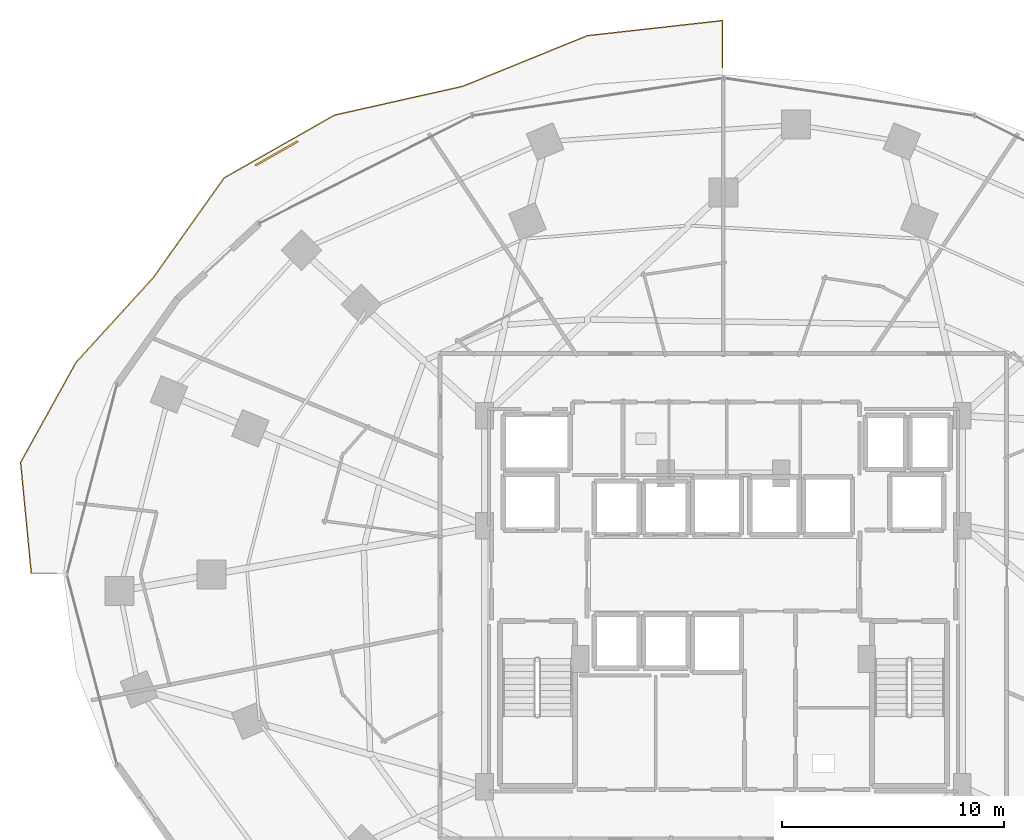
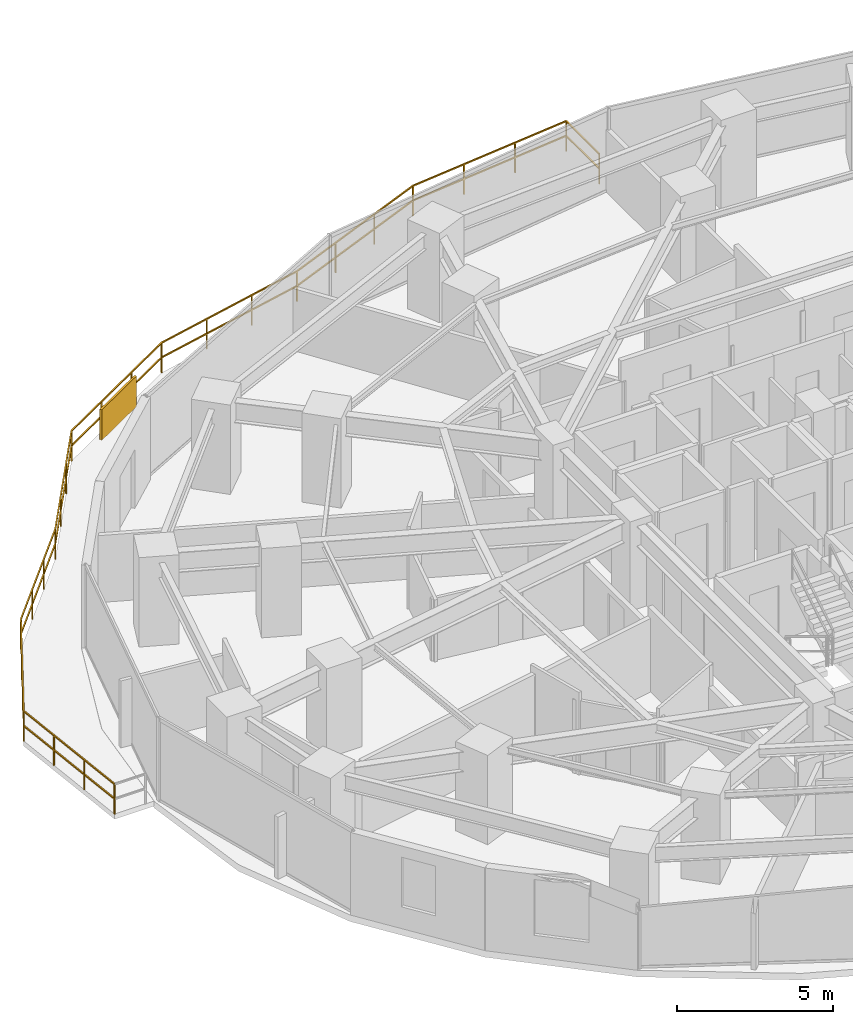
# One storey, part 34 of 35: 1 railing, 1 shading device.
"""IFC4 building model written with IfcOpenShell, lengths in metres."""

from ifc_helpers import new_model, si_unit, direction, frame, origin, origin_2d, place, context, subcontext, project, spatial, rectangle, extrude, material, type_object, element, save


model = new_model("IFC4")

# Units and contexts
model_context = context("Model", 3, precision=1e-05, world=origin(), true_north=direction((0.0, 1.0)))
body_context = subcontext(model_context, "Body", "Model", "MODEL_VIEW")
ifc_project = project(units=[si_unit("LENGTHUNIT", "METRE"), si_unit("AREAUNIT", "SQUARE_METRE"), si_unit("VOLUMEUNIT", "CUBIC_METRE"), si_unit("PLANEANGLEUNIT", "RADIAN"), si_unit("MASSUNIT", "GRAM", prefix="KILO")], contexts=[model_context])

# Site, building, storey
site_placement = place(None, origin())
site = spatial("IfcSite", under=ifc_project, at=site_placement, CompositionType="ELEMENT")
building_placement = place(site_placement, origin())
building = spatial("IfcBuilding", under=site, at=building_placement, Name="Vorneva Point Tower", CompositionType="ELEMENT")
storey_placement = place(building_placement, frame((0.0, 0.0, 45.0)))
storey = spatial("IfcBuildingStorey", under=building, at=storey_placement, Name="L11", CompositionType="ELEMENT", Elevation=45.0)

# Railing
ifc_material = material(Name="Pale anodised aluminium", Category="aluminium")
railing_type = type_object("IfcRailingType", Name="RL-BAL-1200", PredefinedType="BALUSTRADE", material=ifc_material)
railing_placement = place(storey_placement, frame((37.949951171875, 48.817138671875, 0.0)))
element("IfcRailing", 1, at=railing_placement, inside=storey, type_object=railing_type, Name="L11 Wave Balcony Balustrade NW.2", PredefinedType="BALUSTRADE", context=body_context, shape_type="SweptSolid", body=[
    extrude(rectangle(XDim=0.048095703125, YDim=0.048095703125, at=origin_2d()), frame((0.0, 0.0, 1.17578125), z_axis=(0.0, 1.0, 0.0), x_axis=(-1.0, 0.0, 0.0)), (0.0, 0.0, 1.0), 2.122314453125),
    extrude(rectangle(XDim=0.048095703125, YDim=0.048095703125, at=origin_2d()), frame((0.0, 0.0, 0.60009765625), z_axis=(0.0, 1.0, 0.0), x_axis=(-1.0, 0.0, 0.0)), (0.0, 0.0, 1.0), 2.122314453125),
    extrude(rectangle(XDim=0.048095703125, YDim=0.048095703125, at=origin_2d()), frame((0.0, 2.122314453125, 1.17578125), z_axis=(-0.993816332481, -0.111036468302, 0.0), x_axis=(0.111036468302, -0.993816332481, 0.0)), (0.0, 0.0, 1.0), 6.112548828125),
    extrude(rectangle(XDim=0.048095703125, YDim=0.048095703125, at=origin_2d()), frame((0.0, 2.122314453125, 0.60009765625), z_axis=(-0.993816332481, -0.111036468302, 0.0), x_axis=(0.111036468302, -0.993816332481, 0.0)), (0.0, 0.0, 1.0), 6.112548828125),
    extrude(rectangle(XDim=0.048095703125, YDim=0.048095703125, at=origin_2d()), frame((-6.07470703125, 1.443603515625, 1.17578125), z_axis=(-0.92649115642, -0.376316538403, 0.0), x_axis=(0.376316538403, -0.92649115642, 0.0)), (0.0, 0.0, 1.0), 6.060791015625),
    extrude(rectangle(XDim=0.048095703125, YDim=0.048095703125, at=origin_2d()), frame((-6.07470703125, 1.443603515625, 0.60009765625), z_axis=(-0.92649115642, -0.376316538403, 0.0), x_axis=(0.376316538403, -0.92649115642, 0.0)), (0.0, 0.0, 1.0), 6.060791015625),
    extrude(rectangle(XDim=0.048095703125, YDim=0.048095703125, at=origin_2d()), frame((-11.68994140625, -0.837158203125, 1.17578125), z_axis=(-0.975737524658, -0.218943561164, 0.0), x_axis=(0.218943561164, -0.975737524658, 0.0)), (0.0, 0.0, 1.0), 5.905517578125),
    extrude(rectangle(XDim=0.048095703125, YDim=0.048095703125, at=origin_2d()), frame((-11.68994140625, -0.837158203125, 0.60009765625), z_axis=(-0.975737524658, -0.218943561164, 0.0), x_axis=(0.218943561164, -0.975737524658, 0.0)), (0.0, 0.0, 1.0), 5.905517578125),
    extrude(rectangle(XDim=0.048095703125, YDim=0.048095703125, at=origin_2d()), frame((-17.4521484375, -2.130126953125, 1.17578125), z_axis=(-0.869364509694, -0.494171376431, 0.0), x_axis=(0.494171376431, -0.869364509694, 0.0)), (0.0, 0.0, 1.0), 5.722900390625),
    extrude(rectangle(XDim=0.048095703125, YDim=0.048095703125, at=origin_2d()), frame((-17.4521484375, -2.130126953125, 0.60009765625), z_axis=(-0.869364509694, -0.494171376431, 0.0), x_axis=(0.494171376431, -0.869364509694, 0.0)), (0.0, 0.0, 1.0), 5.722900390625),
    extrude(rectangle(XDim=0.048095703125, YDim=0.048095703125, at=origin_2d()), frame((-22.427490234375, -4.958251953125, 1.17578125), z_axis=(-0.579163786314, -0.815211204917, 0.0), x_axis=(0.815211204917, -0.579163786314, 0.0)), (0.0, 0.0, 1.0), 5.515869140625),
    extrude(rectangle(XDim=0.048095703125, YDim=0.048095703125, at=origin_2d()), frame((-22.427490234375, -4.958251953125, 0.60009765625), z_axis=(-0.579163786314, -0.815211204917, 0.0), x_axis=(0.815211204917, -0.579163786314, 0.0)), (0.0, 0.0, 1.0), 5.515869140625),
    extrude(rectangle(XDim=0.048095703125, YDim=0.048095703125, at=origin_2d()), frame((-25.6220703125, -9.454833984375, 1.17578125), z_axis=(-0.673580702306, -0.739113683732, 0.0), x_axis=(0.739113683732, -0.673580702306, 0.0)), (0.0, 0.0, 1.0), 5.16357421875),
    extrude(rectangle(XDim=0.048095703125, YDim=0.048095703125, at=origin_2d()), frame((-25.6220703125, -9.454833984375, 0.60009765625), z_axis=(-0.673580702306, -0.739113683732, 0.0), x_axis=(0.739113683732, -0.673580702306, 0.0)), (0.0, 0.0, 1.0), 5.16357421875),
    extrude(rectangle(XDim=0.048095703125, YDim=0.048095703125, at=origin_2d()), frame((-29.10009765625, -13.271240234375, 1.17578125), z_axis=(-0.484525548596, -0.87477711033, 0.0), x_axis=(0.87477711033, -0.484525548596, 0.0)), (0.0, 0.0, 1.0), 5.140625),
    extrude(rectangle(XDim=0.048095703125, YDim=0.048095703125, at=origin_2d()), frame((-29.10009765625, -13.271240234375, 0.60009765625), z_axis=(-0.484525548596, -0.87477711033, 0.0), x_axis=(0.87477711033, -0.484525548596, 0.0)), (0.0, 0.0, 1.0), 5.140625),
    extrude(rectangle(XDim=0.048095703125, YDim=0.048095703125, at=origin_2d()), frame((-31.5908203125, -17.76806640625, 1.17578125), z_axis=(0.095767984785, -0.995403683482, 0.0), x_axis=(0.995403683482, 0.095767984785, 0.0)), (0.0, 0.0, 1.0), 5.022216796875),
    extrude(rectangle(XDim=0.048095703125, YDim=0.048095703125, at=origin_2d()), frame((-31.5908203125, -17.76806640625, 0.60009765625), z_axis=(0.095767984785, -0.995403683482, 0.0), x_axis=(0.995403683482, 0.095767984785, 0.0)), (0.0, 0.0, 1.0), 5.022216796875),
    extrude(rectangle(XDim=0.0419921875, YDim=0.0419921875, at=origin_2d()), origin(), (0.0, 0.0, 1.0), 1.15185546875),
    extrude(rectangle(XDim=0.0419921875, YDim=0.0419921875, at=origin_2d()), frame((0.0, 2.122314453125, 0.0)), (0.0, 0.0, 1.0), 1.15185546875),
    extrude(rectangle(XDim=0.0419921875, YDim=0.0419921875, at=origin_2d()), frame((-2.02490234375, 1.89599609375, 0.0)), (0.0, 0.0, 1.0), 1.15185546875),
    extrude(rectangle(XDim=0.0419921875, YDim=0.0419921875, at=origin_2d()), frame((-4.0498046875, 1.669921875, 0.0)), (0.0, 0.0, 1.0), 1.15185546875),
    extrude(rectangle(XDim=0.0419921875, YDim=0.0419921875, at=origin_2d()), frame((-6.07470703125, 1.443603515625, 0.0)), (0.0, 0.0, 1.0), 1.15185546875),
    extrude(rectangle(XDim=0.0419921875, YDim=0.0419921875, at=origin_2d()), frame((-7.946533203125, 0.683349609375, 0.0)), (0.0, 0.0, 1.0), 1.15185546875),
    extrude(rectangle(XDim=0.0419921875, YDim=0.0419921875, at=origin_2d()), frame((-9.818115234375, -0.076904296875, 0.0)), (0.0, 0.0, 1.0), 1.15185546875),
    extrude(rectangle(XDim=0.0419921875, YDim=0.0419921875, at=origin_2d()), frame((-11.68994140625, -0.837158203125, 0.0)), (0.0, 0.0, 1.0), 1.15185546875),
    extrude(rectangle(XDim=0.0419921875, YDim=0.0419921875, at=origin_2d()), frame((-13.610595703125, -1.26806640625, 0.0)), (0.0, 0.0, 1.0), 1.15185546875),
    extrude(rectangle(XDim=0.0419921875, YDim=0.0419921875, at=origin_2d()), frame((-15.531494140625, -1.69921875, 0.0)), (0.0, 0.0, 1.0), 1.15185546875),
    extrude(rectangle(XDim=0.0419921875, YDim=0.0419921875, at=origin_2d()), frame((-17.4521484375, -2.130126953125, 0.0)), (0.0, 0.0, 1.0), 1.15185546875),
    extrude(rectangle(XDim=0.0419921875, YDim=0.0419921875, at=origin_2d()), frame((-19.110595703125, -3.07275390625, 0.0)), (0.0, 0.0, 1.0), 1.15185546875),
    extrude(rectangle(XDim=0.0419921875, YDim=0.0419921875, at=origin_2d()), frame((-20.76904296875, -4.015625, 0.0)), (0.0, 0.0, 1.0), 1.15185546875),
    extrude(rectangle(XDim=0.0419921875, YDim=0.0419921875, at=origin_2d()), frame((-22.427490234375, -4.958251953125, 0.0)), (0.0, 0.0, 1.0), 1.15185546875),
    extrude(rectangle(XDim=0.0419921875, YDim=0.0419921875, at=origin_2d()), frame((-23.492431640625, -6.45703125, 0.0)), (0.0, 0.0, 1.0), 1.15185546875),
    extrude(rectangle(XDim=0.0419921875, YDim=0.0419921875, at=origin_2d()), frame((-24.55712890625, -7.9560546875, 0.0)), (0.0, 0.0, 1.0), 1.15185546875),
    extrude(rectangle(XDim=0.0419921875, YDim=0.0419921875, at=origin_2d()), frame((-25.6220703125, -9.454833984375, 0.0)), (0.0, 0.0, 1.0), 1.15185546875),
    extrude(rectangle(XDim=0.0419921875, YDim=0.0419921875, at=origin_2d()), frame((-26.781494140625, -10.72705078125, 0.0)), (0.0, 0.0, 1.0), 1.15185546875),
    extrude(rectangle(XDim=0.0419921875, YDim=0.0419921875, at=origin_2d()), frame((-27.940673828125, -11.9990234375, 0.0)), (0.0, 0.0, 1.0), 1.15185546875),
    extrude(rectangle(XDim=0.0419921875, YDim=0.0419921875, at=origin_2d()), frame((-29.10009765625, -13.271240234375, 0.0)), (0.0, 0.0, 1.0), 1.15185546875),
    extrude(rectangle(XDim=0.0419921875, YDim=0.0419921875, at=origin_2d()), frame((-29.930419921875, -14.770263671875, 0.0)), (0.0, 0.0, 1.0), 1.15185546875),
    extrude(rectangle(XDim=0.0419921875, YDim=0.0419921875, at=origin_2d()), frame((-30.760498046875, -16.26904296875, 0.0)), (0.0, 0.0, 1.0), 1.15185546875),
    extrude(rectangle(XDim=0.0419921875, YDim=0.0419921875, at=origin_2d()), frame((-31.5908203125, -17.76806640625, 0.0)), (0.0, 0.0, 1.0), 1.15185546875),
    extrude(rectangle(XDim=0.0419921875, YDim=0.0419921875, at=origin_2d()), frame((-31.430419921875, -19.434326171875, 0.0)), (0.0, 0.0, 1.0), 1.15185546875),
    extrude(rectangle(XDim=0.0419921875, YDim=0.0419921875, at=origin_2d()), frame((-31.270263671875, -21.100830078125, 0.0)), (0.0, 0.0, 1.0), 1.15185546875),
    extrude(rectangle(XDim=0.0419921875, YDim=0.0419921875, at=origin_2d()), frame((-31.10986328125, -22.76708984375, 0.0)), (0.0, 0.0, 1.0), 1.15185546875),
])

# Shading device
shading_device_type = type_object("IfcShadingDeviceType", Name="SHD-JAL-1200", PredefinedType="JALOUSIE", material=ifc_material)
shading_device_placement = place(storey_placement, frame((17.8916015625, 44.96337890625, -0.02001953125), z_axis=(0.0, 0.0, 1.0), x_axis=(-0.869365586031, -0.494169482895, 0.0)))
element("IfcShadingDevice", 2, at=shading_device_placement, inside=storey, type_object=shading_device_type, Name="L11 Balcony Vertical-Greenery Planter Screen NW.2", PredefinedType="JALOUSIE", context=body_context, shape_type="SweptSolid", body=[
    extrude(rectangle(XDim=2.199951171875, YDim=0.080078125, at=origin_2d()), origin(), (0.0, 0.0, 1.0), 1.199951171875),
])

save(model, "model.ifc")
